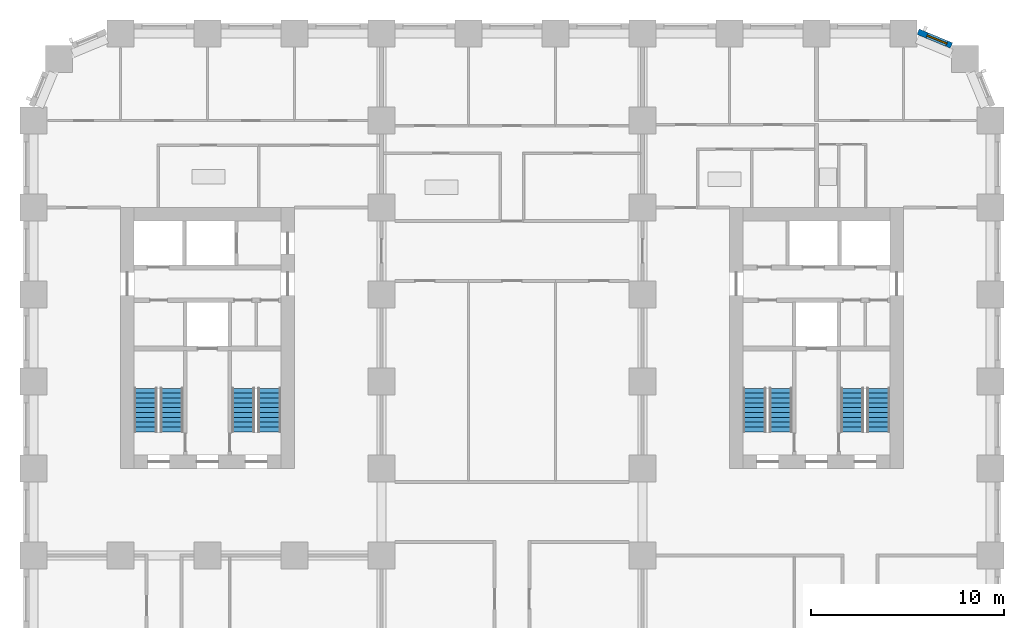
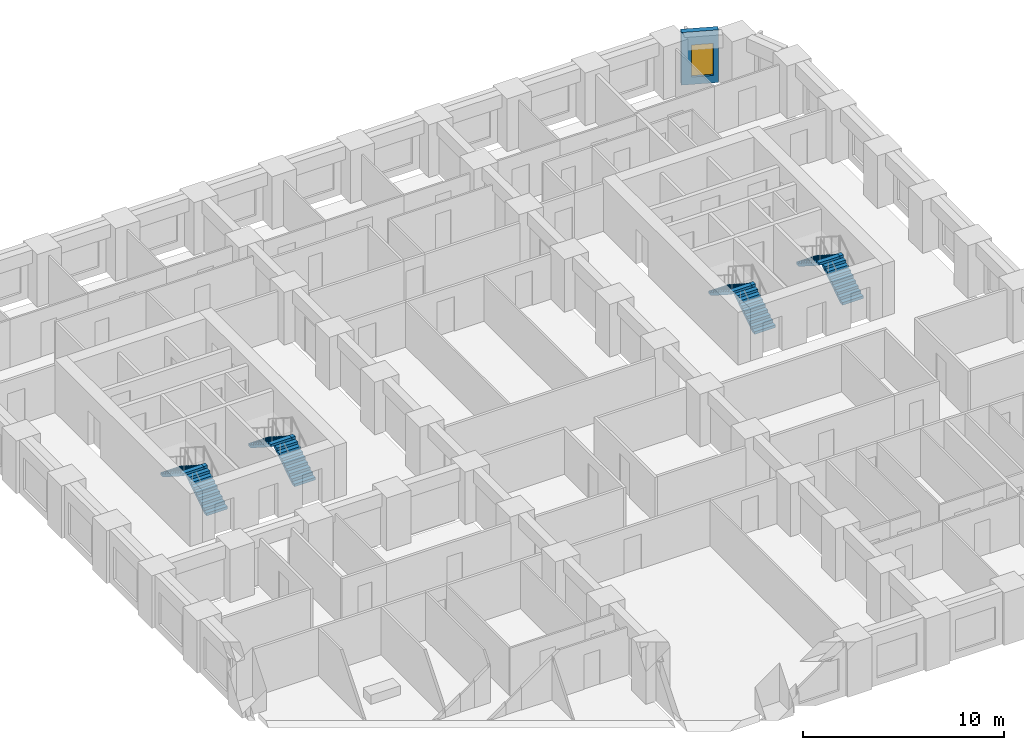
# One storey, part 10 of 13: 8 stair flights, 1 wall, 1 window, 1 opening, 4 elements without a shape of their own.
"""IFC4 building model written with IfcOpenShell, lengths in metres."""

import ifcopenshell
import ifcopenshell.guid

model = None  # the IFC model being written
_history = None  # IfcOwnerHistory: only IFC2X3 demands one
_inside = {}  # id of a spatial element -> (the spatial element, [elements in it])
_under = {}  # id of a project, library or spatial element -> (it, [spatial elements below it])
_declared = {}  # id of a project -> (the project, [libraries it declares])
_typed = {}  # id of a type object -> (the type object, [elements of that type])
_made_of = {}  # id of a material, layer set ... -> (it, [elements and type objects made of it])


def new_model(schema):
    """Start an empty IFC model of exactly this schema.

    Asked for "IFC4X3", IfcOpenShell would pick the latest addendum, in which some entities
    have other attributes; the version numbers below select the first issue.
    IFC2X3 requires an IfcOwnerHistory on every rooted entity: one is made here for all.
    """
    global model, _history
    if schema == "IFC4X3":
        model = ifcopenshell.file(schema_version=(4, 3, 0, 0))
    else:
        model = ifcopenshell.file(schema=schema)
    _inside.clear()
    _under.clear()
    _declared.clear()
    _typed.clear()
    _made_of.clear()
    _history = None
    if model.schema == "IFC2X3":
        org = make("IfcOrganization", Name="unknown")
        user = make(
            "IfcPersonAndOrganization",
            ThePerson=make("IfcPerson", FamilyName="unknown"),
            TheOrganization=org,
        )
        app = make(
            "IfcApplication",
            ApplicationDeveloper=org,
            Version="unknown",
            ApplicationFullName="unknown",
            ApplicationIdentifier="unknown",
        )
        _history = make(
            "IfcOwnerHistory",
            OwningUser=user,
            OwningApplication=app,
            ChangeAction="ADDED",
            CreationDate=0,
        )
    return model


def make(cls, **values):
    """One entity of the class cls with the attributes given. An attribute that is None is left unset."""
    return model.create_entity(
        cls, **{name: value for name, value in values.items() if value is not None}
    )


def rooted(cls, **values):
    """An entity with a GlobalId (a new one), such as an element, a storey or a relation."""
    return make(cls, GlobalId=ifcopenshell.guid.new(), OwnerHistory=_history, **values)


def si_unit(unit_type, name, prefix=None):
    """IfcSIUnit, for example si_unit("LENGTHUNIT", "METRE", prefix="MILLI")."""
    return make("IfcSIUnit", UnitType=unit_type, Prefix=prefix, Name=name)


def assignment(units):
    """IfcUnitAssignment: the units of a project."""
    return None if units is None else make("IfcUnitAssignment", Units=units)


def point(xyz):
    """IfcCartesianPoint."""
    return None if xyz is None else make("IfcCartesianPoint", Coordinates=xyz)


def direction(xyz):
    """IfcDirection."""
    return None if xyz is None else make("IfcDirection", DirectionRatios=xyz)


def frame(location, z_axis=None, x_axis=None):
    """IfcAxis2Placement3D, a coordinate frame: its origin and axes. An axis left out is left unset."""
    return make(
        "IfcAxis2Placement3D",
        Location=point(location),
        Axis=direction(z_axis),
        RefDirection=direction(x_axis),
    )


def frame_2d(location, x_axis=None):
    """IfcAxis2Placement2D, a coordinate frame in the plane: its origin and x axis."""
    return make(
        "IfcAxis2Placement2D", Location=point(location), RefDirection=direction(x_axis)
    )


def origin():
    """The frame at (0, 0, 0) with its axes left unset."""
    return frame((0.0, 0.0, 0.0))


def place(relative_to, where):
    """IfcLocalPlacement: puts the frame where relative to a parent placement (None: the world)."""
    return make(
        "IfcLocalPlacement", PlacementRelTo=relative_to, RelativePlacement=where
    )


def context(
    kind, dimensions, precision=None, world=None, true_north=None, identifier=None
):
    """IfcGeometricRepresentationContext, for example the 3D "Model" context."""
    return make(
        "IfcGeometricRepresentationContext",
        ContextIdentifier=identifier,
        ContextType=kind,
        CoordinateSpaceDimension=dimensions,
        Precision=precision,
        WorldCoordinateSystem=world,
        TrueNorth=true_north,
    )


def subcontext(parent, identifier, kind, view, scale=None):
    """IfcGeometricRepresentationSubContext, for example "Body" below "Model"."""
    return make(
        "IfcGeometricRepresentationSubContext",
        ContextIdentifier=identifier,
        ContextType=kind,
        ParentContext=parent,
        TargetScale=scale,
        TargetView=view,
    )


def project(units=None, contexts=None):
    """IfcProject with its units and contexts."""
    return rooted(
        "IfcProject",
        Name="project",
        RepresentationContexts=contexts,
        UnitsInContext=assignment(units),
    )


def spatial(cls, under=None, at=None, **own):
    """A site, building, storey or space (cls), placed at a placement, below another one or the project."""
    s = rooted(cls, ObjectPlacement=at, **own)
    if under is not None:
        _under.setdefault(under.id(), (under, []))[1].append(s)
    return s


def polyline(points):
    """IfcPolyline through the points."""
    return make("IfcPolyline", Points=[point(p) for p in points])


def profile(cls, at=None, kind="AREA", **sizes):
    """A parametric profile (cls). Its sizes go by their IFC names, for example OverallWidth=200.0."""
    return make(cls, ProfileType=kind, Position=at, **sizes)


def rectangle(**sizes):
    """IfcRectangleProfileDef."""
    return profile("IfcRectangleProfileDef", **sizes)


def outline(outer, holes=None, kind="AREA"):
    """IfcArbitraryClosedProfileDef: a profile drawn as a closed curve; with holes, ...WithVoids."""
    if holes is None:
        return make("IfcArbitraryClosedProfileDef", ProfileType=kind, OuterCurve=outer)
    return make(
        "IfcArbitraryProfileDefWithVoids",
        ProfileType=kind,
        OuterCurve=outer,
        InnerCurves=holes,
    )


def extrude(swept, where, along, depth):
    """IfcExtrudedAreaSolid: the profile swept, set in the frame where, extruded along a direction by depth."""
    return make(
        "IfcExtrudedAreaSolid",
        SweptArea=swept,
        Position=where,
        ExtrudedDirection=direction(along),
        Depth=depth,
    )


def shape(context_of_items, identifier, shape_type, items):
    """IfcShapeRepresentation: the items that make up one representation, for example the "Body"."""
    return make(
        "IfcShapeRepresentation",
        ContextOfItems=context_of_items,
        RepresentationIdentifier=identifier,
        RepresentationType=shape_type,
        Items=items,
    )


def material(Name=None, Category=None):
    """IfcMaterial."""
    return make("IfcMaterial", Name=Name, Category=Category)


def layer(
    of_material, thickness, ventilated=None, Name=None, Category=None, Priority=None
):
    """IfcMaterialLayer: one layer of a wall or slab, of a material (None: an air gap)."""
    return make(
        "IfcMaterialLayer",
        Material=of_material,
        LayerThickness=thickness,
        IsVentilated=ventilated,
        Name=Name,
        Category=Category,
        Priority=Priority,
    )


def layer_set(layers, Name=None):
    """IfcMaterialLayerSet."""
    return make("IfcMaterialLayerSet", MaterialLayers=layers, LayerSetName=Name)


def made_of(thing, what):
    """Note that an element or type object is made of a material, layer set ...; save() writes the relation."""
    if what is not None:
        _made_of.setdefault(what.id(), (what, []))[1].append(thing)
    return thing


def type_object(cls, material=None, **own):
    """A type object (cls), such as IfcWallType, which elements share."""
    return made_of(rooted(cls, **own), material)


def element(
    cls,
    number,
    at=None,
    inside=None,
    cuts=None,
    type_object=None,
    material=None,
    context=None,
    identifier="Body",
    shape_type=None,
    held_by="IfcProductDefinitionShape",
    body=None,
    shapes=None,
    **own,
):
    """One element of the class cls, such as IfcWall. Its Tag is "e" and its number.

    at: its placement. inside: the storey or other place that contains it. cuts: it is an
    opening in that element (IfcRelVoidsElement). A single representation is given by context,
    identifier, shape_type and body (its items); several are given by shapes. held_by: the class
    of the entity that holds the representations. save() writes the other relations.
    """
    e = rooted(cls, Tag="e%d" % number, ObjectPlacement=at, **own)
    if body is not None:
        shapes = [shape(context, identifier, shape_type, body)]
    if shapes is not None:
        e.Representation = make(held_by, Representations=shapes)
    if inside is not None:
        _inside.setdefault(inside.id(), (inside, []))[1].append(e)
    if cuts is not None:
        rooted(
            "IfcRelVoidsElement", RelatingBuildingElement=cuts, RelatedOpeningElement=e
        )
    if type_object is not None:
        _typed.setdefault(type_object.id(), (type_object, []))[1].append(e)
    return made_of(e, material)


def fill(opening, filler):
    """IfcRelFillsElement: the door or window that sits in an opening."""
    return rooted(
        "IfcRelFillsElement",
        RelatingOpeningElement=opening,
        RelatedBuildingElement=filler,
    )


def aggregate(whole, parts):
    """IfcRelAggregates: a whole, such as a stair, and the parts it consists of."""
    return rooted("IfcRelAggregates", RelatingObject=whole, RelatedObjects=parts)


def save(model, path):
    """Write the relations noted so far, then the file.

    IfcRelAggregates (storeys below a building ...), IfcRelContainedInSpatialStructure (elements
    in a storey), IfcRelDefinesByType, IfcRelAssociatesMaterial and IfcRelDeclares: one each for
    every whole, place, type object, material and project.
    """
    for whole, parts in _under.values():
        aggregate(whole, parts)
    for where, things in _inside.values():
        rooted(
            "IfcRelContainedInSpatialStructure",
            RelatedElements=things,
            RelatingStructure=where,
        )
    for kind, things in _typed.values():
        rooted("IfcRelDefinesByType", RelatedObjects=things, RelatingType=kind)
    for what, things in _made_of.values():
        rooted("IfcRelAssociatesMaterial", RelatedObjects=things, RelatingMaterial=what)
    for by, libraries in _declared.values():
        rooted("IfcRelDeclares", RelatingContext=by, RelatedDefinitions=libraries)
    model.write(path)


model = new_model("IFC4")

# Units and contexts
model_context = context("Model", 3, precision=1e-05, world=origin(), true_north=direction((0.0, 1.0)))
body_context = subcontext(model_context, "Body", "Model", "MODEL_VIEW")
ifc_project = project(units=[si_unit("LENGTHUNIT", "METRE"), si_unit("AREAUNIT", "SQUARE_METRE"), si_unit("VOLUMEUNIT", "CUBIC_METRE"), si_unit("PLANEANGLEUNIT", "RADIAN"), si_unit("MASSUNIT", "GRAM", prefix="KILO")], contexts=[model_context])

# Site, building, storey
site_placement = place(None, origin())
site = spatial("IfcSite", under=ifc_project, at=site_placement, CompositionType="ELEMENT")
building_placement = place(site_placement, origin())
building = spatial("IfcBuilding", under=site, at=building_placement, Name="Girih Gate Residences", CompositionType="ELEMENT")
storey_placement = place(building_placement, frame((0.0, 0.0, 52.800048828125)))
storey = spatial("IfcBuildingStorey", under=building, at=storey_placement, Name="L13", CompositionType="ELEMENT", Elevation=52.800048828125)

# Wall, opening, window
ifc_material_1 = material(Name="Precast concrete C50/60", Category="concrete")
ifc_layer_1 = layer(ifc_material_1, 0.080078125, Name="Outer leaf")
ifc_material_2 = material(Name="Rigid PIR insulation")
ifc_layer_2 = layer(ifc_material_2, 0.14990234375, Name="Insulation")
ifc_material_3 = material(Name="Precast concrete C40/50", Category="concrete")
ifc_layer_3 = layer(ifc_material_3, 0.070068359375, Name="Inner leaf")
ifc_layer_set = layer_set([ifc_layer_1, ifc_layer_2, ifc_layer_3], Name="Precast concrete C50/60 external wall 300")
wall_type = type_object("IfcWallType", Name="Precast concrete C50/60 external wall 300", PredefinedType="SOLIDWALL", material=ifc_layer_set)
wall_placement = place(storey_placement, frame((45.75732421875, 49.59228515625, 0.0), z_axis=(0.0, 0.0, 1.0), x_axis=(0.923857286003, -0.382737135771, 0.0)))
wall = element("IfcWall", 1, at=wall_placement, inside=storey, type_object=wall_type, Name="External wall NE0482_0482.0", PredefinedType="SOLIDWALL", context=body_context, shape_type="SweptSolid", body=[
    extrude(rectangle(XDim=1.865234375, YDim=0.300048828125, at=frame_2d((0.9326171875, 0.0))), origin(), (0.0, 0.0, 1.0), 3.199951171875),
])
opening_placement = place(wall_placement, frame((0.507568359375, 0.0, 0.449951171875)))
opening = element("IfcOpeningElement", 2, at=opening_placement, cuts=wall, Name="Opening W-2C", PredefinedType="OPENING", context=body_context, shape_type="SweptSolid", body=[
    extrude(rectangle(XDim=1.10009765625, YDim=1.949951171875, at=frame_2d((0.550048828125, 0.97509765625))), frame((0.0, 0.159912109375, 0.0), z_axis=(0.0, -1.0, 0.0), x_axis=(1.0, 0.0, 0.0)), (0.0, 0.0, 1.0), 0.320068359375),
])
ifc_material_4 = material(Name="Double glazing in aluminium frame", Category="aluminium")
window_type = type_object("IfcWindowType", Name="Window W-2C 1100x1950", PartitioningType="SINGLE_PANEL", PredefinedType="WINDOW", material=ifc_material_4)
window_placement = place(opening_placement, origin())
window = element("IfcWindow", 3, at=window_placement, inside=storey, type_object=window_type, Name="Window W-2C NE0482_0482.0", OverallHeight=1.949951171875, OverallWidth=1.10009765625, PartitioningType="SINGLE_PANEL", PredefinedType="WINDOW", context=body_context, shape_type="SweptSolid", body=[
    extrude(rectangle(XDim=1.10009765625, YDim=1.949951171875, at=frame_2d((0.550048828125, 0.97509765625))), frame((0.0, 0.030029296875, 0.0), z_axis=(0.0, -1.0, 0.0), x_axis=(1.0, 0.0, 0.0)), (0.0, 0.0, 1.0), 0.06005859375),
])
fill(opening, window)

# Stair, stair flights
ifc_material_5 = material(Name="Concrete C40/50", Category="concrete")
stair_type = type_object("IfcStairType", Name="Exit stair", PredefinedType="HALF_TURN_STAIR", material=ifc_material_5)
stair_1_placement = place(storey_placement, origin())
stair_1 = element("IfcStair", 4, at=stair_1_placement, inside=storey, type_object=stair_type, Name="L13 Exit Stair ST-W1", PredefinedType="HALF_TURN_STAIR")
stair_flight_type = type_object("IfcStairFlightType", Name="Stair flight 1200", PredefinedType="STRAIGHT", material=ifc_material_5)
stair_flight_1_placement = place(storey_placement, frame((7.14990234375, 28.89990234375, 0.0), z_axis=(0.0, 0.0, 1.0), x_axis=(0.0, 1.0, 0.0)))
stair_flight_1 = element("IfcStairFlight", 5, at=stair_flight_1_placement, type_object=stair_flight_type, Name="ST-W1 flight 1", NumberOfRisers=10, NumberOfTreads=9, PredefinedType="STRAIGHT", RiserHeight=0.16, TreadLength=0.25, context=body_context, shape_type="SweptSolid", body=[
    extrude(outline(polyline([(0.0, 0.0), (0.0, 0.159912109375), (0.25, 0.159912109375), (0.25, 0.320068359375), (0.5, 0.320068359375), (0.5, 0.47998046875), (0.75, 0.47998046875), (0.75, 0.639892578125), (1.0, 0.639892578125), (1.0, 0.800048828125), (1.25, 0.800048828125), (1.25, 0.9599609375), (1.5, 0.9599609375), (1.5, 1.1201171875), (1.75, 1.1201171875), (1.75, 1.280029296875), (2.0, 1.280029296875), (2.0, 1.43994140625), (2.25, 1.43994140625), (2.25, 1.60009765625), (2.25, 1.29736328125), (0.222900390625, 0.0), (0.0, 0.0)])), frame((0.0, 0.60009765625, 0.0), z_axis=(0.0, -1.0, 0.0), x_axis=(1.0, 0.0, 0.0)), (0.0, 0.0, 1.0), 1.199951171875),
])
stair_flight_2_placement = place(storey_placement, frame((5.800048828125, 31.14990234375, 1.599853515625), z_axis=(0.0, 0.0, 1.0), x_axis=(0.0, -1.0, 0.0)))
stair_flight_2 = element("IfcStairFlight", 6, at=stair_flight_2_placement, type_object=stair_flight_type, Name="ST-W1 flight 2", NumberOfRisers=10, NumberOfTreads=9, PredefinedType="STRAIGHT", RiserHeight=0.16, TreadLength=0.25, context=body_context, shape_type="SweptSolid", body=[
    extrude(outline(polyline([(0.0, 0.0), (0.0, 0.159912109375), (0.25, 0.159912109375), (0.25, 0.320068359375), (0.5, 0.320068359375), (0.5, 0.47998046875), (0.75, 0.47998046875), (0.75, 0.639892578125), (1.0, 0.639892578125), (1.0, 0.800048828125), (1.25, 0.800048828125), (1.25, 0.9599609375), (1.5, 0.9599609375), (1.5, 1.1201171875), (1.75, 1.1201171875), (1.75, 1.280029296875), (2.0, 1.280029296875), (2.0, 1.43994140625), (2.25, 1.43994140625), (2.25, 1.60009765625), (2.25, 1.29736328125), (0.222900390625, 0.0), (0.0, 0.0)])), frame((0.0, 0.60009765625, 0.0), z_axis=(0.0, -1.0, 0.0), x_axis=(1.0, 0.0, 0.0)), (0.0, 0.0, 1.0), 1.199951171875),
])
aggregate(stair_1, [stair_flight_1, stair_flight_2])

stair_2_placement = place(storey_placement, origin())
stair_2 = element("IfcStair", 7, at=stair_2_placement, inside=storey, type_object=stair_type, Name="L13 Exit Stair ST-W2", PredefinedType="HALF_TURN_STAIR")
stair_flight_3_placement = place(storey_placement, frame((12.199951171875, 28.89990234375, 0.0), z_axis=(0.0, 0.0, 1.0), x_axis=(0.0, 1.0, 0.0)))
stair_flight_3 = element("IfcStairFlight", 8, at=stair_flight_3_placement, type_object=stair_flight_type, Name="ST-W2 flight 1", NumberOfRisers=10, NumberOfTreads=9, PredefinedType="STRAIGHT", RiserHeight=0.16, TreadLength=0.25, context=body_context, shape_type="SweptSolid", body=[
    extrude(outline(polyline([(0.0, 0.0), (0.0, 0.159912109375), (0.25, 0.159912109375), (0.25, 0.320068359375), (0.5, 0.320068359375), (0.5, 0.47998046875), (0.75, 0.47998046875), (0.75, 0.639892578125), (1.0, 0.639892578125), (1.0, 0.800048828125), (1.25, 0.800048828125), (1.25, 0.9599609375), (1.5, 0.9599609375), (1.5, 1.1201171875), (1.75, 1.1201171875), (1.75, 1.280029296875), (2.0, 1.280029296875), (2.0, 1.43994140625), (2.25, 1.43994140625), (2.25, 1.60009765625), (2.25, 1.29736328125), (0.222900390625, 0.0), (0.0, 0.0)])), frame((0.0, 0.60009765625, 0.0), z_axis=(0.0, -1.0, 0.0), x_axis=(1.0, 0.0, 0.0)), (0.0, 0.0, 1.0), 1.199951171875),
])
stair_flight_4_placement = place(storey_placement, frame((10.85009765625, 31.14990234375, 1.599853515625), z_axis=(0.0, 0.0, 1.0), x_axis=(0.0, -1.0, 0.0)))
stair_flight_4 = element("IfcStairFlight", 9, at=stair_flight_4_placement, type_object=stair_flight_type, Name="ST-W2 flight 2", NumberOfRisers=10, NumberOfTreads=9, PredefinedType="STRAIGHT", RiserHeight=0.16, TreadLength=0.25, context=body_context, shape_type="SweptSolid", body=[
    extrude(outline(polyline([(0.0, 0.0), (0.0, 0.159912109375), (0.25, 0.159912109375), (0.25, 0.320068359375), (0.5, 0.320068359375), (0.5, 0.47998046875), (0.75, 0.47998046875), (0.75, 0.639892578125), (1.0, 0.639892578125), (1.0, 0.800048828125), (1.25, 0.800048828125), (1.25, 0.9599609375), (1.5, 0.9599609375), (1.5, 1.1201171875), (1.75, 1.1201171875), (1.75, 1.280029296875), (2.0, 1.280029296875), (2.0, 1.43994140625), (2.25, 1.43994140625), (2.25, 1.60009765625), (2.25, 1.29736328125), (0.222900390625, 0.0), (0.0, 0.0)])), frame((0.0, 0.60009765625, 0.0), z_axis=(0.0, -1.0, 0.0), x_axis=(1.0, 0.0, 0.0)), (0.0, 0.0, 1.0), 1.199951171875),
])
aggregate(stair_2, [stair_flight_3, stair_flight_4])

stair_3_placement = place(storey_placement, origin())
stair_3 = element("IfcStair", 10, at=stair_3_placement, inside=storey, type_object=stair_type, Name="L13 Exit Stair ST-E1", PredefinedType="HALF_TURN_STAIR")
stair_flight_5_placement = place(storey_placement, frame((43.699951171875, 28.89990234375, 0.0), z_axis=(0.0, 0.0, 1.0), x_axis=(0.0, 1.0, 0.0)))
stair_flight_5 = element("IfcStairFlight", 11, at=stair_flight_5_placement, type_object=stair_flight_type, Name="ST-E1 flight 1", NumberOfRisers=10, NumberOfTreads=9, PredefinedType="STRAIGHT", RiserHeight=0.16, TreadLength=0.25, context=body_context, shape_type="SweptSolid", body=[
    extrude(outline(polyline([(0.0, 0.0), (0.0, 0.159912109375), (0.25, 0.159912109375), (0.25, 0.320068359375), (0.5, 0.320068359375), (0.5, 0.47998046875), (0.75, 0.47998046875), (0.75, 0.639892578125), (1.0, 0.639892578125), (1.0, 0.800048828125), (1.25, 0.800048828125), (1.25, 0.9599609375), (1.5, 0.9599609375), (1.5, 1.1201171875), (1.75, 1.1201171875), (1.75, 1.280029296875), (2.0, 1.280029296875), (2.0, 1.43994140625), (2.25, 1.43994140625), (2.25, 1.60009765625), (2.25, 1.29736328125), (0.222900390625, 0.0), (0.0, 0.0)])), frame((0.0, 0.60009765625, 0.0), z_axis=(0.0, -1.0, 0.0), x_axis=(1.0, 0.0, 0.0)), (0.0, 0.0, 1.0), 1.199951171875),
])
stair_flight_6_placement = place(storey_placement, frame((42.35009765625, 31.14990234375, 1.599853515625), z_axis=(0.0, 0.0, 1.0), x_axis=(0.0, -1.0, 0.0)))
stair_flight_6 = element("IfcStairFlight", 12, at=stair_flight_6_placement, type_object=stair_flight_type, Name="ST-E1 flight 2", NumberOfRisers=10, NumberOfTreads=9, PredefinedType="STRAIGHT", RiserHeight=0.16, TreadLength=0.25, context=body_context, shape_type="SweptSolid", body=[
    extrude(outline(polyline([(0.0, 0.0), (0.0, 0.159912109375), (0.25, 0.159912109375), (0.25, 0.320068359375), (0.5, 0.320068359375), (0.5, 0.47998046875), (0.75, 0.47998046875), (0.75, 0.639892578125), (1.0, 0.639892578125), (1.0, 0.800048828125), (1.25, 0.800048828125), (1.25, 0.9599609375), (1.5, 0.9599609375), (1.5, 1.1201171875), (1.75, 1.1201171875), (1.75, 1.280029296875), (2.0, 1.280029296875), (2.0, 1.43994140625), (2.25, 1.43994140625), (2.25, 1.60009765625), (2.25, 1.29736328125), (0.222900390625, 0.0), (0.0, 0.0)])), frame((0.0, 0.60009765625, 0.0), z_axis=(0.0, -1.0, 0.0), x_axis=(1.0, 0.0, 0.0)), (0.0, 0.0, 1.0), 1.199951171875),
])
aggregate(stair_3, [stair_flight_5, stair_flight_6])

stair_4_placement = place(storey_placement, origin())
stair_4 = element("IfcStair", 13, at=stair_4_placement, inside=storey, type_object=stair_type, Name="L13 Exit Stair ST-E2", PredefinedType="HALF_TURN_STAIR")
stair_flight_7_placement = place(storey_placement, frame((38.64990234375, 28.89990234375, 0.0), z_axis=(0.0, 0.0, 1.0), x_axis=(0.0, 1.0, 0.0)))
stair_flight_7 = element("IfcStairFlight", 14, at=stair_flight_7_placement, type_object=stair_flight_type, Name="ST-E2 flight 1", NumberOfRisers=10, NumberOfTreads=9, PredefinedType="STRAIGHT", RiserHeight=0.16, TreadLength=0.25, context=body_context, shape_type="SweptSolid", body=[
    extrude(outline(polyline([(0.0, 0.0), (0.0, 0.159912109375), (0.25, 0.159912109375), (0.25, 0.320068359375), (0.5, 0.320068359375), (0.5, 0.47998046875), (0.75, 0.47998046875), (0.75, 0.639892578125), (1.0, 0.639892578125), (1.0, 0.800048828125), (1.25, 0.800048828125), (1.25, 0.9599609375), (1.5, 0.9599609375), (1.5, 1.1201171875), (1.75, 1.1201171875), (1.75, 1.280029296875), (2.0, 1.280029296875), (2.0, 1.43994140625), (2.25, 1.43994140625), (2.25, 1.60009765625), (2.25, 1.29736328125), (0.222900390625, 0.0), (0.0, 0.0)])), frame((0.0, 0.60009765625, 0.0), z_axis=(0.0, -1.0, 0.0), x_axis=(1.0, 0.0, 0.0)), (0.0, 0.0, 1.0), 1.199951171875),
])
stair_flight_8_placement = place(storey_placement, frame((37.300048828125, 31.14990234375, 1.599853515625), z_axis=(0.0, 0.0, 1.0), x_axis=(0.0, -1.0, 0.0)))
stair_flight_8 = element("IfcStairFlight", 15, at=stair_flight_8_placement, type_object=stair_flight_type, Name="ST-E2 flight 2", NumberOfRisers=10, NumberOfTreads=9, PredefinedType="STRAIGHT", RiserHeight=0.16, TreadLength=0.25, context=body_context, shape_type="SweptSolid", body=[
    extrude(outline(polyline([(0.0, 0.0), (0.0, 0.159912109375), (0.25, 0.159912109375), (0.25, 0.320068359375), (0.5, 0.320068359375), (0.5, 0.47998046875), (0.75, 0.47998046875), (0.75, 0.639892578125), (1.0, 0.639892578125), (1.0, 0.800048828125), (1.25, 0.800048828125), (1.25, 0.9599609375), (1.5, 0.9599609375), (1.5, 1.1201171875), (1.75, 1.1201171875), (1.75, 1.280029296875), (2.0, 1.280029296875), (2.0, 1.43994140625), (2.25, 1.43994140625), (2.25, 1.60009765625), (2.25, 1.29736328125), (0.222900390625, 0.0), (0.0, 0.0)])), frame((0.0, 0.60009765625, 0.0), z_axis=(0.0, -1.0, 0.0), x_axis=(1.0, 0.0, 0.0)), (0.0, 0.0, 1.0), 1.199951171875),
])
aggregate(stair_4, [stair_flight_7, stair_flight_8])

save(model, "model.ifc")
